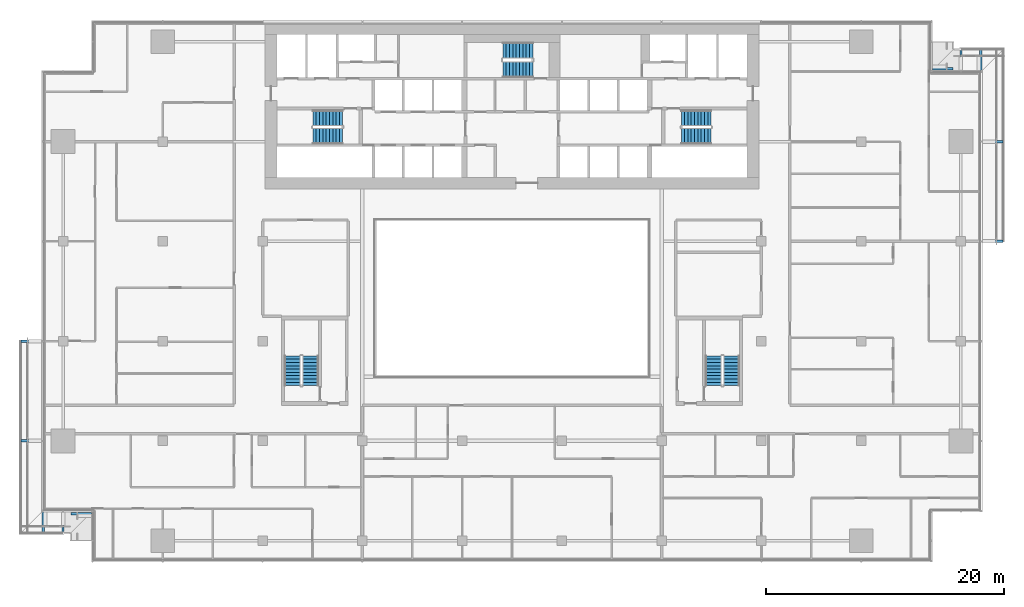
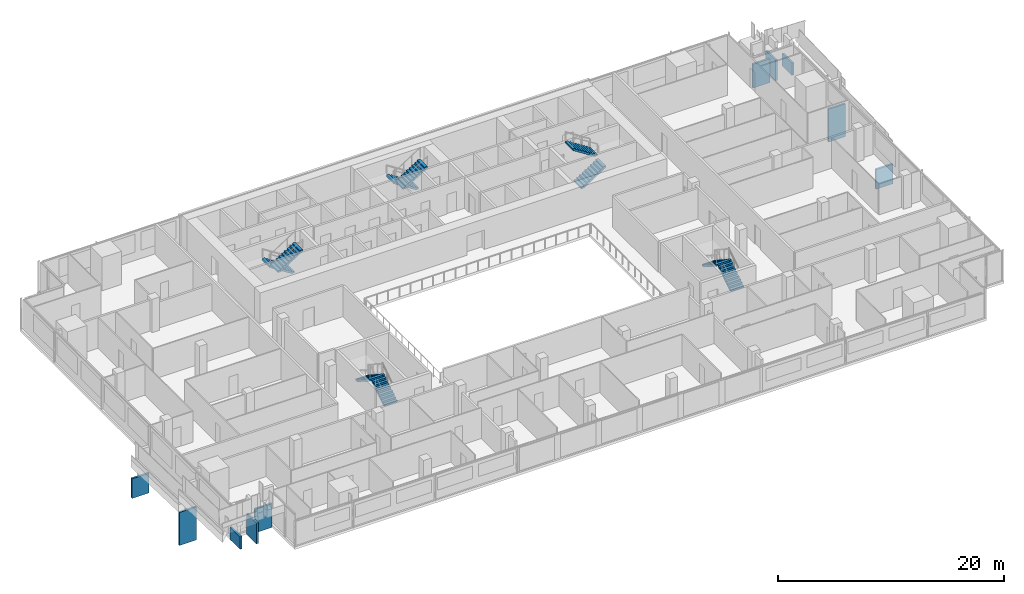
# One storey, part 22 of 27: 10 discrete accessories, 10 stair flights, 5 elements without a shape of their own.
"""IFC4 building model written with IfcOpenShell, lengths in metres."""

from ifc_helpers import new_model, si_unit, direction, frame, origin, origin_2d, place, context, subcontext, project, spatial, polyline, rectangle, outline, extrude, material, type_object, element, aggregate, save


model = new_model("IFC4")

# Units and contexts
model_context = context("Model", 3, precision=1e-05, world=origin(), true_north=direction((0.0, 1.0)))
body_context = subcontext(model_context, "Body", "Model", "MODEL_VIEW")
ifc_project = project(units=[si_unit("LENGTHUNIT", "METRE"), si_unit("AREAUNIT", "SQUARE_METRE"), si_unit("VOLUMEUNIT", "CUBIC_METRE"), si_unit("PLANEANGLEUNIT", "RADIAN"), si_unit("MASSUNIT", "GRAM", prefix="KILO")], contexts=[model_context])

# Site, building, storey
site_placement = place(None, origin())
site = spatial("IfcSite", under=ifc_project, at=site_placement, CompositionType="ELEMENT")
building_placement = place(site_placement, origin())
building = spatial("IfcBuilding", under=site, at=building_placement, Name="Saffron Gate Tower", CompositionType="ELEMENT")
storey_placement = place(building_placement, frame((0.0, 0.0, 134.85009765625)))
storey = spatial("IfcBuildingStorey", under=building, at=storey_placement, Name="L32", CompositionType="ELEMENT", Elevation=134.85009765625)

# Stair, stair flights
ifc_material = material(Name="Concrete C40", Category="concrete")
stair_type = type_object("IfcStairType", Name="ST7 Stair 1350 wide, 20 risers of 180", PredefinedType="HALF_TURN_STAIR", material=ifc_material)
stair_1_placement = place(storey_placement, origin())
stair_1 = element("IfcStair", 1, at=stair_1_placement, inside=storey, type_object=stair_type, Name="L32 Exit stair A", PredefinedType="HALF_TURN_STAIR")
stair_flight_type = type_object("IfcStairFlightType", Name="SF3 Stair flight 1350 wide, riser 180 going 280", PredefinedType="STRAIGHT", material=ifc_material)
stair_flight_1_placement = place(storey_placement, frame((73.35009765625, 67.375, 0.0), z_axis=(0.0, 0.0, 1.0), x_axis=(-1.0, 0.0, 0.0)))
stair_flight_1 = element("IfcStairFlight", 2, at=stair_flight_1_placement, type_object=stair_flight_type, Name="ST-A flight 1", NumberOfRisers=10, NumberOfTreads=9, PredefinedType="STRAIGHT", RiserHeight=0.18, TreadLength=0.28, context=body_context, shape_type="SweptSolid", body=[
    extrude(outline(polyline([(0.0, 0.0), (0.0, 0.179931640625), (0.280029296875, 0.179931640625), (0.280029296875, 0.360107421875), (0.56005859375, 0.360107421875), (0.56005859375, 0.5400390625), (0.840087890625, 0.5400390625), (0.840087890625, 0.719970703125), (1.1201171875, 0.719970703125), (1.1201171875, 0.89990234375), (1.39990234375, 0.89990234375), (1.39990234375, 1.080078125), (1.679931640625, 1.080078125), (1.679931640625, 1.260009765625), (1.9599609375, 1.260009765625), (1.9599609375, 1.43994140625), (2.239990234375, 1.43994140625), (2.239990234375, 1.6201171875), (2.52001953125, 1.6201171875), (2.52001953125, 1.800048828125), (2.52001953125, 1.44189453125), (0.277099609375, 0.0), (0.0, 0.0)])), frame((0.0, 0.675048828125, 0.0), z_axis=(0.0, -1.0, 0.0), x_axis=(1.0, 0.0, 0.0)), (0.0, 0.0, 1.0), 1.35009765625),
])
stair_flight_2_placement = place(storey_placement, frame((70.830078125, 65.875, 1.7998046875), z_axis=(0.0, 0.0, 1.0), x_axis=(1.0, 0.0, 0.0)))
stair_flight_2 = element("IfcStairFlight", 3, at=stair_flight_2_placement, type_object=stair_flight_type, Name="ST-A flight 2", NumberOfRisers=10, NumberOfTreads=9, PredefinedType="STRAIGHT", RiserHeight=0.18, TreadLength=0.28, context=body_context, shape_type="SweptSolid", body=[
    extrude(outline(polyline([(0.0, 0.0), (0.0, 0.179931640625), (0.280029296875, 0.179931640625), (0.280029296875, 0.360107421875), (0.56005859375, 0.360107421875), (0.56005859375, 0.5400390625), (0.840087890625, 0.5400390625), (0.840087890625, 0.719970703125), (1.1201171875, 0.719970703125), (1.1201171875, 0.89990234375), (1.39990234375, 0.89990234375), (1.39990234375, 1.080078125), (1.679931640625, 1.080078125), (1.679931640625, 1.260009765625), (1.9599609375, 1.260009765625), (1.9599609375, 1.43994140625), (2.239990234375, 1.43994140625), (2.239990234375, 1.6201171875), (2.52001953125, 1.6201171875), (2.52001953125, 1.800048828125), (2.52001953125, 1.44189453125), (0.277099609375, 0.0), (0.0, 0.0)])), frame((0.0, 0.675048828125, 0.0), z_axis=(0.0, -1.0, 0.0), x_axis=(1.0, 0.0, 0.0)), (0.0, 0.0, 1.0), 1.35009765625),
])
aggregate(stair_1, [stair_flight_1, stair_flight_2])

stair_2_placement = place(storey_placement, origin())
stair_2 = element("IfcStair", 4, at=stair_2_placement, inside=storey, type_object=stair_type, Name="L32 Exit stair B", PredefinedType="HALF_TURN_STAIR")
stair_flight_3_placement = place(storey_placement, frame((101.85009765625, 65.875, 0.0), z_axis=(0.0, 0.0, 1.0), x_axis=(1.0, 0.0, 0.0)))
stair_flight_3 = element("IfcStairFlight", 5, at=stair_flight_3_placement, type_object=stair_flight_type, Name="ST-B flight 1", NumberOfRisers=10, NumberOfTreads=9, PredefinedType="STRAIGHT", RiserHeight=0.18, TreadLength=0.28, context=body_context, shape_type="SweptSolid", body=[
    extrude(outline(polyline([(0.0, 0.0), (0.0, 0.179931640625), (0.280029296875, 0.179931640625), (0.280029296875, 0.360107421875), (0.56005859375, 0.360107421875), (0.56005859375, 0.5400390625), (0.840087890625, 0.5400390625), (0.840087890625, 0.719970703125), (1.1201171875, 0.719970703125), (1.1201171875, 0.89990234375), (1.39990234375, 0.89990234375), (1.39990234375, 1.080078125), (1.679931640625, 1.080078125), (1.679931640625, 1.260009765625), (1.9599609375, 1.260009765625), (1.9599609375, 1.43994140625), (2.239990234375, 1.43994140625), (2.239990234375, 1.6201171875), (2.52001953125, 1.6201171875), (2.52001953125, 1.800048828125), (2.52001953125, 1.44189453125), (0.277099609375, 0.0), (0.0, 0.0)])), frame((0.0, 0.675048828125, 0.0), z_axis=(0.0, -1.0, 0.0), x_axis=(1.0, 0.0, 0.0)), (0.0, 0.0, 1.0), 1.35009765625),
])
stair_flight_4_placement = place(storey_placement, frame((104.3701171875, 67.375, 1.7998046875), z_axis=(0.0, 0.0, 1.0), x_axis=(-1.0, 0.0, 0.0)))
stair_flight_4 = element("IfcStairFlight", 6, at=stair_flight_4_placement, type_object=stair_flight_type, Name="ST-B flight 2", NumberOfRisers=10, NumberOfTreads=9, PredefinedType="STRAIGHT", RiserHeight=0.18, TreadLength=0.28, context=body_context, shape_type="SweptSolid", body=[
    extrude(outline(polyline([(0.0, 0.0), (0.0, 0.179931640625), (0.280029296875, 0.179931640625), (0.280029296875, 0.360107421875), (0.56005859375, 0.360107421875), (0.56005859375, 0.5400390625), (0.840087890625, 0.5400390625), (0.840087890625, 0.719970703125), (1.1201171875, 0.719970703125), (1.1201171875, 0.89990234375), (1.39990234375, 0.89990234375), (1.39990234375, 1.080078125), (1.679931640625, 1.080078125), (1.679931640625, 1.260009765625), (1.9599609375, 1.260009765625), (1.9599609375, 1.43994140625), (2.239990234375, 1.43994140625), (2.239990234375, 1.6201171875), (2.52001953125, 1.6201171875), (2.52001953125, 1.800048828125), (2.52001953125, 1.44189453125), (0.277099609375, 0.0), (0.0, 0.0)])), frame((0.0, 0.675048828125, 0.0), z_axis=(0.0, -1.0, 0.0), x_axis=(1.0, 0.0, 0.0)), (0.0, 0.0, 1.0), 1.35009765625),
])
aggregate(stair_2, [stair_flight_3, stair_flight_4])

stair_3_placement = place(storey_placement, origin())
stair_3 = element("IfcStair", 7, at=stair_3_placement, inside=storey, type_object=stair_type, Name="L32 Exit stair C", PredefinedType="HALF_TURN_STAIR")
stair_flight_5_placement = place(storey_placement, frame((89.35009765625, 73.074951171875, 0.0), z_axis=(0.0, 0.0, 1.0), x_axis=(-1.0, 0.0, 0.0)))
stair_flight_5 = element("IfcStairFlight", 8, at=stair_flight_5_placement, type_object=stair_flight_type, Name="ST-C flight 1", NumberOfRisers=10, NumberOfTreads=9, PredefinedType="STRAIGHT", RiserHeight=0.18, TreadLength=0.28, context=body_context, shape_type="SweptSolid", body=[
    extrude(outline(polyline([(0.0, 0.0), (0.0, 0.179931640625), (0.280029296875, 0.179931640625), (0.280029296875, 0.360107421875), (0.56005859375, 0.360107421875), (0.56005859375, 0.5400390625), (0.840087890625, 0.5400390625), (0.840087890625, 0.719970703125), (1.1201171875, 0.719970703125), (1.1201171875, 0.89990234375), (1.39990234375, 0.89990234375), (1.39990234375, 1.080078125), (1.679931640625, 1.080078125), (1.679931640625, 1.260009765625), (1.9599609375, 1.260009765625), (1.9599609375, 1.43994140625), (2.239990234375, 1.43994140625), (2.239990234375, 1.6201171875), (2.52001953125, 1.6201171875), (2.52001953125, 1.800048828125), (2.52001953125, 1.44189453125), (0.277099609375, 0.0), (0.0, 0.0)])), frame((0.0, 0.675048828125, 0.0), z_axis=(0.0, -1.0, 0.0), x_axis=(1.0, 0.0, 0.0)), (0.0, 0.0, 1.0), 1.35009765625),
])
stair_flight_6_placement = place(storey_placement, frame((86.830078125, 71.47509765625, 1.7998046875), z_axis=(0.0, 0.0, 1.0), x_axis=(1.0, 0.0, 0.0)))
stair_flight_6 = element("IfcStairFlight", 9, at=stair_flight_6_placement, type_object=stair_flight_type, Name="ST-C flight 2", NumberOfRisers=10, NumberOfTreads=9, PredefinedType="STRAIGHT", RiserHeight=0.18, TreadLength=0.28, context=body_context, shape_type="SweptSolid", body=[
    extrude(outline(polyline([(0.0, 0.0), (0.0, 0.179931640625), (0.280029296875, 0.179931640625), (0.280029296875, 0.360107421875), (0.56005859375, 0.360107421875), (0.56005859375, 0.5400390625), (0.840087890625, 0.5400390625), (0.840087890625, 0.719970703125), (1.1201171875, 0.719970703125), (1.1201171875, 0.89990234375), (1.39990234375, 0.89990234375), (1.39990234375, 1.080078125), (1.679931640625, 1.080078125), (1.679931640625, 1.260009765625), (1.9599609375, 1.260009765625), (1.9599609375, 1.43994140625), (2.239990234375, 1.43994140625), (2.239990234375, 1.6201171875), (2.52001953125, 1.6201171875), (2.52001953125, 1.800048828125), (2.52001953125, 1.44189453125), (0.277099609375, 0.0), (0.0, 0.0)])), frame((0.0, 0.675048828125, 0.0), z_axis=(0.0, -1.0, 0.0), x_axis=(1.0, 0.0, 0.0)), (0.0, 0.0, 1.0), 1.35009765625),
])
aggregate(stair_3, [stair_flight_5, stair_flight_6])

stair_4_placement = place(storey_placement, origin())
stair_4 = element("IfcStair", 10, at=stair_4_placement, inside=storey, type_object=stair_type, Name="L32 Exit stair D", PredefinedType="HALF_TURN_STAIR")
stair_flight_7_placement = place(storey_placement, frame((70.625, 44.85009765625, 0.0), z_axis=(0.0, 0.0, 1.0), x_axis=(0.0, 1.0, 0.0)))
stair_flight_7 = element("IfcStairFlight", 11, at=stair_flight_7_placement, type_object=stair_flight_type, Name="ST-D flight 1", NumberOfRisers=10, NumberOfTreads=9, PredefinedType="STRAIGHT", RiserHeight=0.18, TreadLength=0.28, context=body_context, shape_type="SweptSolid", body=[
    extrude(outline(polyline([(0.0, 0.0), (0.0, 0.179931640625), (0.280029296875, 0.179931640625), (0.280029296875, 0.360107421875), (0.56005859375, 0.360107421875), (0.56005859375, 0.5400390625), (0.840087890625, 0.5400390625), (0.840087890625, 0.719970703125), (1.1201171875, 0.719970703125), (1.1201171875, 0.89990234375), (1.39990234375, 0.89990234375), (1.39990234375, 1.080078125), (1.679931640625, 1.080078125), (1.679931640625, 1.260009765625), (1.9599609375, 1.260009765625), (1.9599609375, 1.43994140625), (2.239990234375, 1.43994140625), (2.239990234375, 1.6201171875), (2.52001953125, 1.6201171875), (2.52001953125, 1.800048828125), (2.52001953125, 1.44189453125), (0.277099609375, 0.0), (0.0, 0.0)])), frame((0.0, 0.675048828125, 0.0), z_axis=(0.0, -1.0, 0.0), x_axis=(1.0, 0.0, 0.0)), (0.0, 0.0, 1.0), 1.35009765625),
])
stair_flight_8_placement = place(storey_placement, frame((69.125, 47.3701171875, 1.7998046875), z_axis=(0.0, 0.0, 1.0), x_axis=(0.0, -1.0, 0.0)))
stair_flight_8 = element("IfcStairFlight", 12, at=stair_flight_8_placement, type_object=stair_flight_type, Name="ST-D flight 2", NumberOfRisers=10, NumberOfTreads=9, PredefinedType="STRAIGHT", RiserHeight=0.18, TreadLength=0.28, context=body_context, shape_type="SweptSolid", body=[
    extrude(outline(polyline([(0.0, 0.0), (0.0, 0.179931640625), (0.280029296875, 0.179931640625), (0.280029296875, 0.360107421875), (0.56005859375, 0.360107421875), (0.56005859375, 0.5400390625), (0.840087890625, 0.5400390625), (0.840087890625, 0.719970703125), (1.1201171875, 0.719970703125), (1.1201171875, 0.89990234375), (1.39990234375, 0.89990234375), (1.39990234375, 1.080078125), (1.679931640625, 1.080078125), (1.679931640625, 1.260009765625), (1.9599609375, 1.260009765625), (1.9599609375, 1.43994140625), (2.239990234375, 1.43994140625), (2.239990234375, 1.6201171875), (2.52001953125, 1.6201171875), (2.52001953125, 1.800048828125), (2.52001953125, 1.44189453125), (0.277099609375, 0.0), (0.0, 0.0)])), frame((0.0, 0.675048828125, 0.0), z_axis=(0.0, -1.0, 0.0), x_axis=(1.0, 0.0, 0.0)), (0.0, 0.0, 1.0), 1.35009765625),
])
aggregate(stair_4, [stair_flight_7, stair_flight_8])

stair_5_placement = place(storey_placement, origin())
stair_5 = element("IfcStair", 13, at=stair_5_placement, inside=storey, type_object=stair_type, Name="L32 Exit stair E", PredefinedType="HALF_TURN_STAIR")
stair_flight_9_placement = place(storey_placement, frame((106.074951171875, 44.85009765625, 0.0), z_axis=(0.0, 0.0, 1.0), x_axis=(0.0, 1.0, 0.0)))
stair_flight_9 = element("IfcStairFlight", 14, at=stair_flight_9_placement, type_object=stair_flight_type, Name="ST-E flight 1", NumberOfRisers=10, NumberOfTreads=9, PredefinedType="STRAIGHT", RiserHeight=0.18, TreadLength=0.28, context=body_context, shape_type="SweptSolid", body=[
    extrude(outline(polyline([(0.0, 0.0), (0.0, 0.179931640625), (0.280029296875, 0.179931640625), (0.280029296875, 0.360107421875), (0.56005859375, 0.360107421875), (0.56005859375, 0.5400390625), (0.840087890625, 0.5400390625), (0.840087890625, 0.719970703125), (1.1201171875, 0.719970703125), (1.1201171875, 0.89990234375), (1.39990234375, 0.89990234375), (1.39990234375, 1.080078125), (1.679931640625, 1.080078125), (1.679931640625, 1.260009765625), (1.9599609375, 1.260009765625), (1.9599609375, 1.43994140625), (2.239990234375, 1.43994140625), (2.239990234375, 1.6201171875), (2.52001953125, 1.6201171875), (2.52001953125, 1.800048828125), (2.52001953125, 1.44189453125), (0.277099609375, 0.0), (0.0, 0.0)])), frame((0.0, 0.675048828125, 0.0), z_axis=(0.0, -1.0, 0.0), x_axis=(1.0, 0.0, 0.0)), (0.0, 0.0, 1.0), 1.35009765625),
])
stair_flight_10_placement = place(storey_placement, frame((104.574951171875, 47.3701171875, 1.7998046875), z_axis=(0.0, 0.0, 1.0), x_axis=(0.0, -1.0, 0.0)))
stair_flight_10 = element("IfcStairFlight", 15, at=stair_flight_10_placement, type_object=stair_flight_type, Name="ST-E flight 2", NumberOfRisers=10, NumberOfTreads=9, PredefinedType="STRAIGHT", RiserHeight=0.18, TreadLength=0.28, context=body_context, shape_type="SweptSolid", body=[
    extrude(outline(polyline([(0.0, 0.0), (0.0, 0.179931640625), (0.280029296875, 0.179931640625), (0.280029296875, 0.360107421875), (0.56005859375, 0.360107421875), (0.56005859375, 0.5400390625), (0.840087890625, 0.5400390625), (0.840087890625, 0.719970703125), (1.1201171875, 0.719970703125), (1.1201171875, 0.89990234375), (1.39990234375, 0.89990234375), (1.39990234375, 1.080078125), (1.679931640625, 1.080078125), (1.679931640625, 1.260009765625), (1.9599609375, 1.260009765625), (1.9599609375, 1.43994140625), (2.239990234375, 1.43994140625), (2.239990234375, 1.6201171875), (2.52001953125, 1.6201171875), (2.52001953125, 1.800048828125), (2.52001953125, 1.44189453125), (0.277099609375, 0.0), (0.0, 0.0)])), frame((0.0, 0.675048828125, 0.0), z_axis=(0.0, -1.0, 0.0), x_axis=(1.0, 0.0, 0.0)), (0.0, 0.0, 1.0), 1.35009765625),
])
aggregate(stair_5, [stair_flight_9, stair_flight_10])

# Discrete accessories
discrete_accessory_1_placement = place(storey_placement, frame((47.125, 48.60009765625, -3.8798828125), z_axis=(0.0, 0.0, 1.0), x_axis=(0.0, -1.0, 0.0)))
element("IfcDiscreteAccessory", 16, at=discrete_accessory_1_placement, inside=storey, Name="LEDGE rib", PredefinedType="BRACKET", context=body_context, shape_type="SweptSolid", body=[
    extrude(rectangle(XDim=0.199951171875, YDim=1.75, at=origin_2d()), origin(), (0.0, 0.0, 1.0), 2.122802734375),
])
discrete_accessory_2_placement = place(storey_placement, frame((47.125, 40.199951171875, -3.88037109375), z_axis=(0.0, 0.0, 1.0), x_axis=(0.0, -1.0, 0.0)))
element("IfcDiscreteAccessory", 17, at=discrete_accessory_2_placement, inside=storey, Name="LEDGE rib", PredefinedType="BRACKET", context=body_context, shape_type="SweptSolid", body=[
    extrude(rectangle(XDim=0.199951171875, YDim=1.75, at=origin_2d()), origin(), (0.0, 0.0, 1.0), 3.565185546875),
])
discrete_accessory_3_placement = place(storey_placement, frame((48.1201171875, 33.324951171875, -0.280029296875), z_axis=(0.0, 0.0, 1.0), x_axis=(1.0, 0.0, 0.0)))
element("IfcDiscreteAccessory", 18, at=discrete_accessory_3_placement, inside=storey, Name="LEDGE rib", PredefinedType="BRACKET", context=body_context, shape_type="SweptSolid", body=[
    extrude(rectangle(XDim=0.199951171875, YDim=1.75, at=origin_2d()), origin(), (0.0, 0.0, 1.0), 1.33837890625),
])
discrete_accessory_4_placement = place(storey_placement, frame((49.800048828125, 33.324951171875, -0.280029296875), z_axis=(0.0, 0.0, 1.0), x_axis=(1.0, 0.0, 0.0)))
element("IfcDiscreteAccessory", 19, at=discrete_accessory_4_placement, inside=storey, Name="LEDGE rib", PredefinedType="BRACKET", context=body_context, shape_type="SweptSolid", body=[
    extrude(rectangle(XDim=0.199951171875, YDim=1.75, at=origin_2d()), origin(), (0.0, 0.0, 1.0), 2.24755859375),
])
discrete_accessory_5_placement = place(storey_placement, frame((51.324951171875, 34.080078125, -0.2802734375), z_axis=(0.0, 0.0, 1.0), x_axis=(0.0, -1.0, 0.0)))
element("IfcDiscreteAccessory", 20, at=discrete_accessory_5_placement, inside=storey, Name="LEDGE rib", PredefinedType="BRACKET", context=body_context, shape_type="SweptSolid", body=[
    extrude(rectangle(XDim=0.199951171875, YDim=1.75, at=origin_2d()), origin(), (0.0, 0.0, 1.0), 2.573974609375),
])
discrete_accessory_6_placement = place(storey_placement, frame((128.074951171875, 57.0, -3.8798828125), z_axis=(0.0, 0.0, 1.0), x_axis=(0.0, 1.0, 0.0)))
element("IfcDiscreteAccessory", 21, at=discrete_accessory_6_placement, inside=storey, Name="LEDGE rib", PredefinedType="BRACKET", context=body_context, shape_type="SweptSolid", body=[
    extrude(rectangle(XDim=0.199951171875, YDim=1.75, at=origin_2d()), origin(), (0.0, 0.0, 1.0), 2.122802734375),
])
discrete_accessory_7_placement = place(storey_placement, frame((128.074951171875, 65.39990234375, -3.88037109375), z_axis=(0.0, 0.0, 1.0), x_axis=(0.0, 1.0, 0.0)))
element("IfcDiscreteAccessory", 22, at=discrete_accessory_7_placement, inside=storey, Name="LEDGE rib", PredefinedType="BRACKET", context=body_context, shape_type="SweptSolid", body=[
    extrude(rectangle(XDim=0.199951171875, YDim=1.75, at=origin_2d()), origin(), (0.0, 0.0, 1.0), 3.565185546875),
])
discrete_accessory_8_placement = place(storey_placement, frame((127.080078125, 72.27490234375, -0.280029296875), z_axis=(0.0, 0.0, 1.0), x_axis=(-1.0, 0.0, 0.0)))
element("IfcDiscreteAccessory", 23, at=discrete_accessory_8_placement, inside=storey, Name="LEDGE rib", PredefinedType="BRACKET", context=body_context, shape_type="SweptSolid", body=[
    extrude(rectangle(XDim=0.199951171875, YDim=1.75, at=origin_2d()), origin(), (0.0, 0.0, 1.0), 1.33837890625),
])
discrete_accessory_9_placement = place(storey_placement, frame((125.39990234375, 72.27490234375, -0.280029296875), z_axis=(0.0, 0.0, 1.0), x_axis=(-1.0, 0.0, 0.0)))
element("IfcDiscreteAccessory", 24, at=discrete_accessory_9_placement, inside=storey, Name="LEDGE rib", PredefinedType="BRACKET", context=body_context, shape_type="SweptSolid", body=[
    extrude(rectangle(XDim=0.199951171875, YDim=1.75, at=origin_2d()), origin(), (0.0, 0.0, 1.0), 2.24755859375),
])
discrete_accessory_10_placement = place(storey_placement, frame((123.875, 71.52001953125, -0.2802734375), z_axis=(0.0, 0.0, 1.0), x_axis=(0.0, 1.0, 0.0)))
element("IfcDiscreteAccessory", 25, at=discrete_accessory_10_placement, inside=storey, Name="LEDGE rib", PredefinedType="BRACKET", context=body_context, shape_type="SweptSolid", body=[
    extrude(rectangle(XDim=0.199951171875, YDim=1.75, at=origin_2d()), origin(), (0.0, 0.0, 1.0), 2.573974609375),
])

save(model, "model.ifc")
